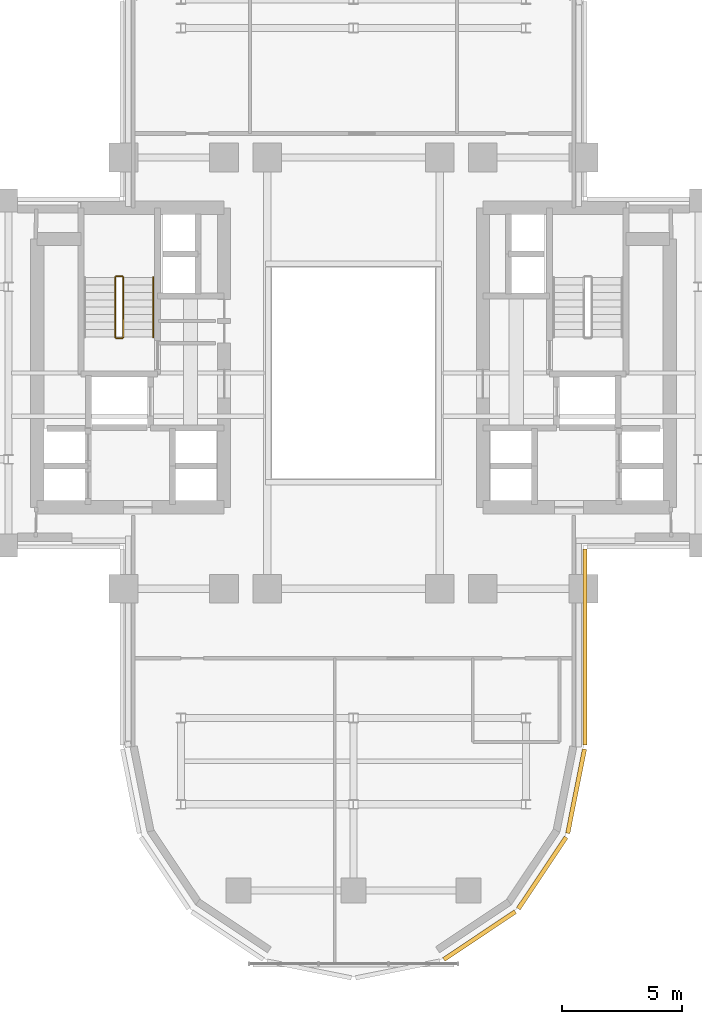
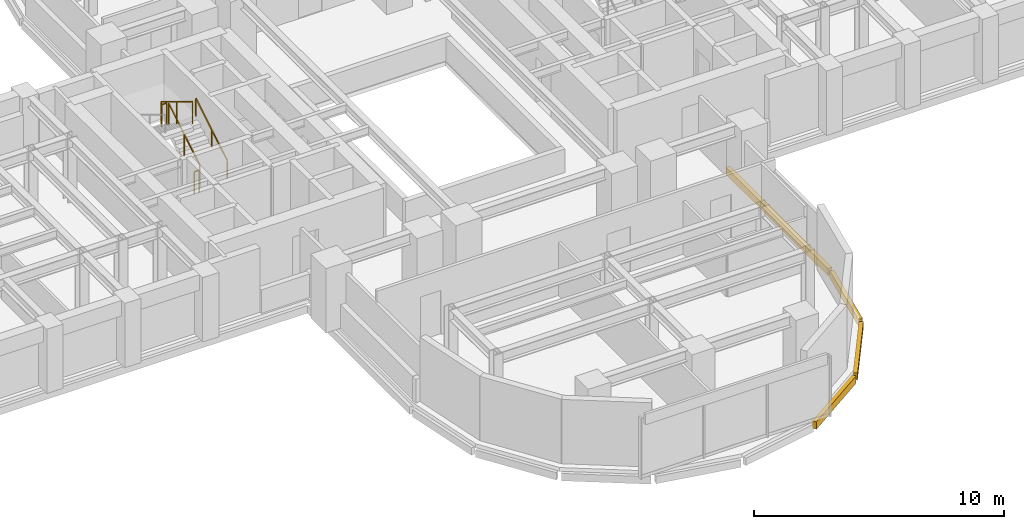
# One storey, part 14 of 16: 5 railings, 4 coverings.
"""IFC4 building model written with IfcOpenShell, lengths in metres."""

from ifc_helpers import new_model, si_unit, direction, frame, origin, origin_2d, place, context, subcontext, project, spatial, rectangle, extrude, source, transform, mapped, material, layer, layer_set, type_object, element, save


model = new_model("IFC4")

# Units and contexts
model_context = context("Model", 3, precision=1e-05, world=origin(), true_north=direction((0.0, 1.0)))
body_context = subcontext(model_context, "Body", "Model", "MODEL_VIEW")
ifc_project = project(units=[si_unit("LENGTHUNIT", "METRE"), si_unit("AREAUNIT", "SQUARE_METRE"), si_unit("VOLUMEUNIT", "CUBIC_METRE"), si_unit("PLANEANGLEUNIT", "RADIAN"), si_unit("MASSUNIT", "GRAM", prefix="KILO")], contexts=[model_context])

# Site, building, storey
site_placement = place(None, origin())
site = spatial("IfcSite", under=ifc_project, at=site_placement, CompositionType="ELEMENT")
building_placement = place(site_placement, origin())
building = spatial("IfcBuilding", under=site, at=building_placement, Name="Keilestroom Media Tower", CompositionType="ELEMENT")
storey_placement = place(building_placement, frame((0.0, 0.0, 85.0)))
storey = spatial("IfcBuildingStorey", under=building, at=storey_placement, Name="L22", CompositionType="ELEMENT", Elevation=85.0)

# Railings
ifc_material_1 = material(Name="Brushed Stainless Steel 1.4301", Category="steel")
railing_type_1 = type_object("IfcRailingType", Name="Stair-Pitch-Handrail-920", PredefinedType="HANDRAIL", material=ifc_material_1)
railing_1_placement = place(storey_placement, frame((-8.35009765625, 1.5, 0.18896484375)))
element("IfcRailing", 1, at=railing_1_placement, inside=storey, type_object=railing_type_1, Name="L22 ST-1 stair handrail 1", PredefinedType="HANDRAIL", context=body_context, shape_type="SweptSolid", body=[
    extrude(rectangle(XDim=0.048095703125, YDim=0.048095703125, at=origin_2d()), frame((0.0, 0.0, 0.8759765625), z_axis=(0.0, 0.855470815493, 0.517851024754), x_axis=(-1.0, 0.0, 0.0)), (0.0, 0.0, 1.0), 2.917724609375),
    extrude(rectangle(XDim=0.0419921875, YDim=0.0419921875, at=origin_2d()), origin(), (0.0, 0.0, 1.0), 0.84375),
    extrude(rectangle(XDim=0.0419921875, YDim=0.0419921875, at=origin_2d()), frame((0.0, 1.248046875, 0.75537109375)), (0.0, 0.0, 1.0), 0.84375),
    extrude(rectangle(XDim=0.0419921875, YDim=0.0419921875, at=origin_2d()), frame((0.0, 2.49609375, 1.510986328125)), (0.0, 0.0, 1.0), 0.84375),
])
ifc_material_2 = material(Name="Painted Steel Balustrade", Category="steel")
railing_type_2 = type_object("IfcRailingType", Name="Stair-Well-And-Landing-Guard-1100", PredefinedType="GUARDRAIL", material=ifc_material_2)
railing_2_placement = place(storey_placement, frame((-9.610107421875, 1.5, 0.18896484375)))
element("IfcRailing", 2, at=railing_2_placement, inside=storey, type_object=railing_type_2, Name="L22 ST-1 stair guard 1", PredefinedType="GUARDRAIL", context=body_context, shape_type="SweptSolid", body=[
    extrude(rectangle(XDim=0.048095703125, YDim=0.048095703125, at=origin_2d()), frame((0.0, 0.0, 1.076171875), z_axis=(0.0, 0.855470815493, 0.517851024754), x_axis=(-1.0, 0.0, 0.0)), (0.0, 0.0, 1.0), 2.917724609375),
    extrude(rectangle(XDim=0.0419921875, YDim=0.0419921875, at=origin_2d()), origin(), (0.0, 0.0, 1.0), 1.0439453125),
    extrude(rectangle(XDim=0.0419921875, YDim=0.0419921875, at=origin_2d()), frame((0.0, 1.248046875, 0.75537109375)), (0.0, 0.0, 1.0), 1.0439453125),
    extrude(rectangle(XDim=0.0419921875, YDim=0.0419921875, at=origin_2d()), frame((0.0, 2.49609375, 1.510986328125)), (0.0, 0.0, 1.0), 1.0439453125),
])
railing_3_placement = place(storey_placement, frame((-9.659912109375, 4.0458984375, 1.699951171875)))
element("IfcRailing", 3, at=railing_3_placement, inside=storey, type_object=railing_type_2, Name="L22 ST-1 stair guard 2", PredefinedType="GUARDRAIL", context=body_context, shape_type="SweptSolid", body=[
    extrude(rectangle(XDim=0.048095703125, YDim=0.048095703125, at=origin_2d()), frame((0.0, 0.0, 1.076171875), z_axis=(-1.0, 0.0, 0.0), x_axis=(0.0, -1.0, 0.0)), (0.0, 0.0, 1.0), 0.239990234375),
    extrude(rectangle(XDim=0.0419921875, YDim=0.0419921875, at=origin_2d()), origin(), (0.0, 0.0, 1.0), 1.0439453125),
    extrude(rectangle(XDim=0.0419921875, YDim=0.0419921875, at=origin_2d()), frame((-0.239990234375, 0.0, 0.0)), (0.0, 0.0, 1.0), 1.0439453125),
])
railing_4_placement = place(storey_placement, frame((-9.949951171875, 3.99609375, 1.888916015625)))
element("IfcRailing", 4, at=railing_4_placement, inside=storey, type_object=railing_type_2, Name="L22 ST-1 stair guard 3", PredefinedType="GUARDRAIL", context=body_context, shape_type="SweptSolid", body=[
    extrude(rectangle(XDim=0.048095703125, YDim=0.048095703125, at=origin_2d()), frame((0.0, 0.0, 1.076171875), z_axis=(0.0, -0.855470815493, 0.517851024754), x_axis=(1.0, 0.0, 0.0)), (0.0, 0.0, 1.0), 2.917724609375),
    extrude(rectangle(XDim=0.0419921875, YDim=0.0419921875, at=origin_2d()), origin(), (0.0, 0.0, 1.0), 1.0439453125),
    extrude(rectangle(XDim=0.0419921875, YDim=0.0419921875, at=origin_2d()), frame((0.0, -1.248046875, 0.75537109375)), (0.0, 0.0, 1.0), 1.0439453125),
    extrude(rectangle(XDim=0.0419921875, YDim=0.0419921875, at=origin_2d()), frame((0.0, -2.49609375, 1.510986328125)), (0.0, 0.0, 1.0), 1.0439453125),
])
railing_5_placement = place(storey_placement, frame((-9.659912109375, 1.449951171875, 0.0)))
element("IfcRailing", 5, at=railing_5_placement, inside=storey, type_object=railing_type_2, Name="L22 ST-1 stair guard 4", PredefinedType="GUARDRAIL", context=body_context, shape_type="SweptSolid", body=[
    extrude(rectangle(XDim=0.048095703125, YDim=0.048095703125, at=origin_2d()), frame((0.0, 0.0, 1.076171875), z_axis=(-1.0, 0.0, 0.0), x_axis=(0.0, -1.0, 0.0)), (0.0, 0.0, 1.0), 0.239990234375),
    extrude(rectangle(XDim=0.0419921875, YDim=0.0419921875, at=origin_2d()), origin(), (0.0, 0.0, 1.0), 1.0439453125),
    extrude(rectangle(XDim=0.0419921875, YDim=0.0419921875, at=origin_2d()), frame((-0.239990234375, 0.0, 0.0)), (0.0, 0.0, 1.0), 1.0439453125),
])

# Coverings
ifc_material_3 = material(Name="Precast concrete C40/50", Category="concrete")
ifc_layer = layer(ifc_material_3, 0.1201171875)
ifc_layer_set = layer_set([ifc_layer], Name="Precast concrete C40/50")
covering_type = type_object("IfcCoveringType", Name="Exterior-Precast-Spandrel-Cladding-Panel-120", PredefinedType="CLADDING", material=ifc_layer_set)
shared_shape_1 = source(origin(), body_context, "Body", "SweptSolid", [
    extrude(rectangle(XDim=8.166015625, YDim=0.179931640625, at=origin_2d()), origin(), (0.0, 0.0, 1.0), 0.360107421875),
])
covering_1_placement = place(storey_placement, frame((9.659912109375, -11.43310546875, -0.5400390625), z_axis=(0.0, 0.0, 1.0), x_axis=(0.0, -1.0, 0.0)))
element("IfcCovering", 6, at=covering_1_placement, inside=storey, type_object=covering_type, Name="L22 Precast Slab-Edge Fascia Cornice 06", PredefinedType="CLADDING", context=body_context, shape_type="MappedRepresentation", body=[
    mapped(shared_shape_1, transform((0.0, 0.0, 0.0), x_axis=(1.0, 0.0, 0.0), y_axis=(0.0, 1.0, 0.0), z_axis=(0.0, 0.0, 1.0), scale=1.0)),
])
shared_shape_2 = source(origin(), body_context, "Body", "SweptSolid", [
    extrude(rectangle(XDim=3.58349609375, YDim=0.179931640625, at=origin_2d()), origin(), (0.0, 0.0, 1.0), 0.360107421875),
])
covering_2_placement = place(storey_placement, frame((9.29296875, -17.45166015625, -0.5400390625), z_axis=(0.0, 0.0, 1.0), x_axis=(-0.195098880975, -0.980783577882, 0.0)))
element("IfcCovering", 7, at=covering_2_placement, inside=storey, type_object=covering_type, Name="L22 Precast Slab-Edge Fascia Cornice 07", PredefinedType="CLADDING", context=body_context, shape_type="MappedRepresentation", body=[
    mapped(shared_shape_2, transform((0.0, 0.0, 0.0), x_axis=(1.0, 0.0, 0.0), y_axis=(0.0, 1.0, 0.0), z_axis=(0.0, 0.0, 1.0), scale=1.0)),
])
shared_shape_3 = source(origin(), body_context, "Body", "SweptSolid", [
    extrude(rectangle(XDim=3.589599609375, YDim=0.179931640625, at=origin_2d()), origin(), (0.0, 0.0, 1.0), 0.360107421875),
])
for number, where, z_axis, x_axis, name in (
    (8, (7.878662109375, -20.8642578125, -0.5400390625), (0.0, 0.0, 1.0), (-0.555574586577, -0.831466703332, 0.0), "L22 Precast Slab-Edge Fascia Cornice 08"),
    (9, (5.264404296875, -23.478515625, -0.5400390625), (0.0, 0.0, 1.0), (-0.831466703332, -0.555574586577, 0.0), "L22 Precast Slab-Edge Fascia Cornice 09"),
):
    element("IfcCovering", number, at=place(storey_placement, frame(where, z_axis=z_axis, x_axis=x_axis)), inside=storey, type_object=covering_type, Name=name, PredefinedType="CLADDING", context=body_context, shape_type="MappedRepresentation", body=[
        mapped(shared_shape_3, transform((0.0, 0.0, 0.0), x_axis=(1.0, 0.0, 0.0), y_axis=(0.0, 1.0, 0.0), z_axis=(0.0, 0.0, 1.0), scale=1.0)),
    ])

save(model, "model.ifc")
